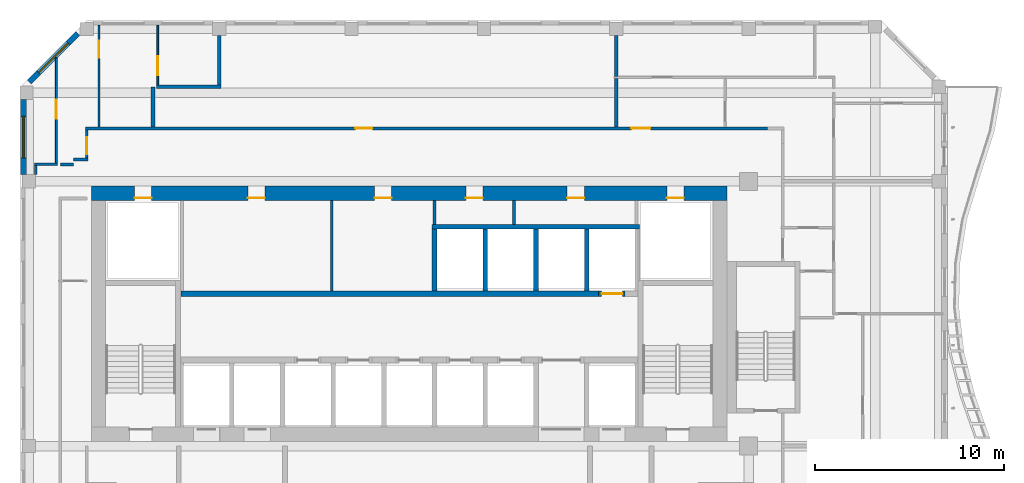
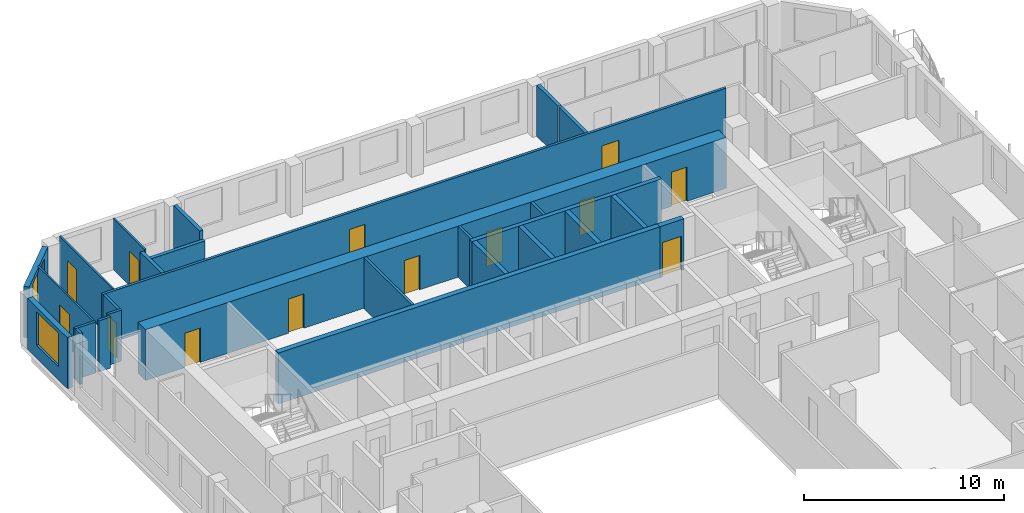
# One storey, part 7 of 20: 27 walls, 13 doors, 2 windows, 15 openings.
"""IFC4 building model written with IfcOpenShell, lengths in metres."""

from ifc_helpers import new_model, si_unit, direction, frame, frame_2d, origin, place, context, subcontext, project, spatial, rectangle, extrude, source, transform, mapped, material, layer, layer_set, type_object, element, fill, save


model = new_model("IFC4")

# Units and contexts
model_context = context("Model", 3, precision=1e-05, world=origin(), true_north=direction((0.0, 1.0)))
body_context = subcontext(model_context, "Body", "Model", "MODEL_VIEW")
ifc_project = project(units=[si_unit("LENGTHUNIT", "METRE"), si_unit("AREAUNIT", "SQUARE_METRE"), si_unit("VOLUMEUNIT", "CUBIC_METRE"), si_unit("PLANEANGLEUNIT", "RADIAN"), si_unit("MASSUNIT", "GRAM", prefix="KILO")], contexts=[model_context])

# Site, building, storey
site_placement = place(None, origin())
site = spatial("IfcSite", under=ifc_project, at=site_placement, CompositionType="ELEMENT")
building_placement = place(site_placement, origin())
building = spatial("IfcBuilding", under=site, at=building_placement, Name="Kilnfold Tower and Market Hall", CompositionType="ELEMENT")
storey_placement = place(building_placement, frame((0.0, 0.0, 239.0)))
storey = spatial("IfcBuildingStorey", under=building, at=storey_placement, Name="L57", CompositionType="ELEMENT", Elevation=239.0)

# Walls
ifc_material_1 = material(Name="Gypsum board on steel studs", Category="steel")
ifc_layer_1 = layer(ifc_material_1, 0.14990234375)
ifc_layer_set_1 = layer_set([ifc_layer_1], Name="Gypsum board on steel studs")
wall_type_1 = type_object("IfcWallType", Name="WALL CORRIDOR 150", PredefinedType="PARTITIONING", material=ifc_layer_set_1)
wall_1_placement = place(storey_placement, frame((-17.550048828125, 22.902099609375, 0.0), z_axis=(0.0, 0.0, 1.0), x_axis=(-1.0, 0.0, 0.0)))
element("IfcWall", 1, at=wall_1_placement, inside=storey, type_object=wall_type_1, Name="Partition LY35.22", PredefinedType="PARTITIONING", context=body_context, shape_type="SweptSolid", body=[
    extrude(rectangle(XDim=1.22705078125, YDim=0.14990234375, at=frame_2d((0.613525390625, 0.0))), origin(), (0.0, 0.0, 1.0), 3.1201171875),
])
wall_2_placement = place(storey_placement, frame((-18.701904296875, 22.826904296875, 0.0), z_axis=(0.0, 0.0, 1.0), x_axis=(0.0, -1.0, 0.0)))
element("IfcWall", 2, at=wall_2_placement, inside=storey, type_object=wall_type_1, Name="Partition LY35.23", PredefinedType="PARTITIONING", context=body_context, shape_type="SweptSolid", body=[
    extrude(rectangle(XDim=0.476806640625, YDim=0.14990234375, at=frame_2d((0.23828125, 0.0))), origin(), (0.0, 0.0, 1.0), 3.1201171875),
])
wall_3_placement = place(storey_placement, frame((-16.7119140625, 22.89990234375, 0.0), z_axis=(0.0, 0.0, 1.0), x_axis=(-1.0, 0.0, 0.0)))
element("IfcWall", 3, at=wall_3_placement, inside=storey, type_object=wall_type_1, Name="Partition LY35.24", PredefinedType="PARTITIONING", context=body_context, shape_type="SweptSolid", body=[
    extrude(rectangle(XDim=0.68603515625, YDim=0.14990234375, at=frame_2d((0.343017578125, 0.0))), origin(), (0.0, 0.0, 1.0), 3.1201171875),
])
wall_4_placement = place(storey_placement, frame((-15.925048828125, 23.1630859375, 0.0), z_axis=(0.0, 0.0, 1.0), x_axis=(-1.0, 0.0, 0.0)))
element("IfcWall", 4, at=wall_4_placement, inside=storey, type_object=wall_type_1, Name="Partition LY35.25", PredefinedType="PARTITIONING", context=body_context, shape_type="SweptSolid", body=[
    extrude(rectangle(XDim=0.786865234375, YDim=0.14990234375, at=frame_2d((0.3935546875, 0.0))), origin(), (0.0, 0.0, 1.0), 3.1201171875),
])

# Wall, opening, door
wall_5_placement = place(storey_placement, frame((-16.0, 23.238037109375, 0.0), z_axis=(0.0, 0.0, 1.0), x_axis=(0.0, 1.0, 0.0)))
wall_5 = element("IfcWall", 5, at=wall_5_placement, inside=storey, type_object=wall_type_1, Name="Partition LY35.26", PredefinedType="PARTITIONING", context=body_context, shape_type="SweptSolid", body=[
    extrude(rectangle(XDim=1.487060546875, YDim=0.14990234375, at=frame_2d((0.74365234375, 0.0))), origin(), (0.0, 0.0, 1.0), 3.1201171875),
])
opening_1_placement = place(wall_5_placement, frame((0.199951171875, 0.0, 0.0)))
opening_1 = element("IfcOpeningElement", 6, at=opening_1_placement, cuts=wall_5, Name="Opening D2", PredefinedType="OPENING", context=body_context, shape_type="SweptSolid", body=[
    extrude(rectangle(XDim=0.89990234375, YDim=2.10009765625, at=frame_2d((0.449951171875, 1.050048828125))), frame((0.0, 0.0849609375, 0.0), z_axis=(0.0, -1.0, 0.0), x_axis=(1.0, 0.0, 0.0)), (0.0, 0.0, 1.0), 0.169921875),
])
ifc_material_2 = material(Name="Timber veneer door leaf in steel frame", Category="steel")
door_type_1 = type_object("IfcDoorType", Name="DOOR ROOM 900 X2100", OperationType="NOTDEFINED", PredefinedType="DOOR", material=ifc_material_2)
door_1_placement = place(opening_1_placement, origin())
door_1 = element("IfcDoor", 7, at=door_1_placement, inside=storey, type_object=door_type_1, Name="Door D2", OperationType="SINGLE_SWING_RIGHT", OverallHeight=2.10009765625, OverallWidth=0.89990234375, PredefinedType="DOOR", context=body_context, shape_type="SweptSolid", body=[
    extrude(rectangle(XDim=0.89990234375, YDim=2.10009765625, at=frame_2d((0.449951171875, 1.050048828125))), frame((0.0, 0.02490234375, 0.0), z_axis=(0.0, -1.0, 0.0), x_axis=(1.0, 0.0, 0.0)), (0.0, 0.0, 1.0), 0.050048828125),
])
fill(opening_1, door_1)

# Wall, openings, doors
wall_6_placement = place(storey_placement, frame((-16.074951171875, 24.800048828125, 0.0), z_axis=(0.0, 0.0, 1.0), x_axis=(1.0, 0.0, 0.0)))
wall_6 = element("IfcWall", 8, at=wall_6_placement, inside=storey, type_object=wall_type_1, Name="Partition LY35.27", PredefinedType="PARTITIONING", context=body_context, shape_type="SweptSolid", body=[
    extrude(rectangle(XDim=36.072998046875, YDim=0.14990234375, at=frame_2d((18.03662109375, 0.0))), origin(), (0.0, 0.0, 1.0), 3.1201171875),
])
opening_2_placement = place(wall_6_placement, frame((14.27392578125, 0.0, 0.0)))
opening_2 = element("IfcOpeningElement", 9, at=opening_2_placement, cuts=wall_6, Name="Opening D2", PredefinedType="OPENING", context=body_context, shape_type="SweptSolid", body=[
    extrude(rectangle(XDim=0.89990234375, YDim=2.10009765625, at=frame_2d((0.449951171875, 1.050048828125))), frame((0.0, 0.0849609375, 0.0), z_axis=(0.0, -1.0, 0.0), x_axis=(1.0, 0.0, 0.0)), (0.0, 0.0, 1.0), 0.169921875),
])
opening_3_placement = place(wall_6_placement, frame((28.875, 0.0, 0.0)))
opening_3 = element("IfcOpeningElement", 10, at=opening_3_placement, cuts=wall_6, Name="Opening D1", PredefinedType="OPENING", context=body_context, shape_type="SweptSolid", body=[
    extrude(rectangle(XDim=1.0, YDim=2.10009765625, at=frame_2d((0.5, 1.050048828125))), frame((0.0, 0.0849609375, 0.0), z_axis=(0.0, -1.0, 0.0), x_axis=(1.0, 0.0, 0.0)), (0.0, 0.0, 1.0), 0.169921875),
])
ifc_material_3 = material(Name="Timber veneer door leaf in steel frame", Category="steel")
door_type_2 = type_object("IfcDoorType", Name="DOOR ENTRY 1000 X2100", OperationType="NOTDEFINED", PredefinedType="DOOR", material=ifc_material_3)
door_2_placement = place(opening_3_placement, origin())
door_2 = element("IfcDoor", 11, at=door_2_placement, inside=storey, type_object=door_type_2, Name="Door D1", OperationType="SINGLE_SWING_RIGHT", OverallHeight=2.10009765625, OverallWidth=1.0, PredefinedType="DOOR", context=body_context, shape_type="SweptSolid", body=[
    extrude(rectangle(XDim=1.0, YDim=2.10009765625, at=frame_2d((0.5, 1.050048828125))), frame((0.0, 0.02490234375, 0.0), z_axis=(0.0, -1.0, 0.0), x_axis=(1.0, 0.0, 0.0)), (0.0, 0.0, 1.0), 0.050048828125),
])
fill(opening_3, door_2)
door_3_placement = place(opening_2_placement, origin())
door_3 = element("IfcDoor", 12, at=door_3_placement, inside=storey, type_object=door_type_1, Name="Door D2", OperationType="SINGLE_SWING_RIGHT", OverallHeight=2.10009765625, OverallWidth=0.89990234375, PredefinedType="DOOR", context=body_context, shape_type="SweptSolid", body=[
    extrude(rectangle(XDim=0.89990234375, YDim=2.10009765625, at=frame_2d((0.449951171875, 1.050048828125))), frame((0.0, 0.02490234375, 0.0), z_axis=(0.0, -1.0, 0.0), x_axis=(1.0, 0.0, 0.0)), (0.0, 0.0, 1.0), 0.050048828125),
])
fill(opening_2, door_3)

# Wall, opening, door
ifc_material_4 = material(Name="Gypsum board on steel studs", Category="steel")
ifc_layer_2 = layer(ifc_material_4, 0.10009765625)
ifc_layer_set_2 = layer_set([ifc_layer_2], Name="Gypsum board on steel studs")
wall_type_2 = type_object("IfcWallType", Name="WALL PARTITION 100", PredefinedType="PARTITIONING", material=ifc_layer_set_2)
wall_7_placement = place(storey_placement, frame((-17.610107421875, 22.97705078125, 0.0), z_axis=(0.0, 0.0, 1.0), x_axis=(0.0, 1.0, 0.0)))
wall_7 = element("IfcWall", 13, at=wall_7_placement, inside=storey, type_object=wall_type_2, Name="Partition LY35.102", PredefinedType="PARTITIONING", context=body_context, shape_type="SweptSolid", body=[
    extrude(rectangle(XDim=5.558837890625, YDim=0.10009765625, at=frame_2d((2.779296875, 0.0))), origin(), (0.0, 0.0, 1.0), 3.1201171875),
])
opening_4_placement = place(wall_7_placement, frame((2.330078125, 0.0, 0.0)))
opening_4 = element("IfcOpeningElement", 14, at=opening_4_placement, cuts=wall_7, Name="Opening D1", PredefinedType="OPENING", context=body_context, shape_type="SweptSolid", body=[
    extrude(rectangle(XDim=1.0, YDim=2.10009765625, at=frame_2d((0.5, 1.050048828125))), frame((0.0, 0.06005859375, 0.0), z_axis=(0.0, -1.0, 0.0), x_axis=(1.0, 0.0, 0.0)), (0.0, 0.0, 1.0), 0.1201171875),
])
door_4_placement = place(opening_4_placement, origin())
door_4 = element("IfcDoor", 15, at=door_4_placement, inside=storey, type_object=door_type_2, Name="Door D1", OperationType="SINGLE_SWING_RIGHT", OverallHeight=2.10009765625, OverallWidth=1.0, PredefinedType="DOOR", context=body_context, shape_type="SweptSolid", body=[
    extrude(rectangle(XDim=1.0, YDim=2.10009765625, at=frame_2d((0.5, 1.050048828125))), frame((0.0, 0.02490234375, 0.0), z_axis=(0.0, -1.0, 0.0), x_axis=(1.0, 0.0, 0.0)), (0.0, 0.0, 1.0), 0.050048828125),
])
fill(opening_4, door_4)

wall_8_placement = place(storey_placement, frame((-15.35498046875, 24.876953125, 0.0), z_axis=(0.0, 0.0, 1.0), x_axis=(0.0, 1.0, 0.0)))
wall_8 = element("IfcWall", 16, at=wall_8_placement, inside=storey, type_object=wall_type_2, Name="Partition LY35.103", PredefinedType="PARTITIONING", context=body_context, shape_type="SweptSolid", body=[
    extrude(rectangle(XDim=5.373046875, YDim=0.10009765625, at=frame_2d((2.6865234375, 0.0))), origin(), (0.0, 0.0, 1.0), 3.1201171875),
])
opening_5_placement = place(wall_8_placement, frame((3.662109375, 0.0, 0.0)))
opening_5 = element("IfcOpeningElement", 17, at=opening_5_placement, cuts=wall_8, Name="Opening D2", PredefinedType="OPENING", context=body_context, shape_type="SweptSolid", body=[
    extrude(rectangle(XDim=0.89990234375, YDim=2.10009765625, at=frame_2d((0.449951171875, 1.050048828125))), frame((0.0, 0.06005859375, 0.0), z_axis=(0.0, -1.0, 0.0), x_axis=(1.0, 0.0, 0.0)), (0.0, 0.0, 1.0), 0.1201171875),
])
door_5_placement = place(opening_5_placement, origin())
door_5 = element("IfcDoor", 18, at=door_5_placement, inside=storey, type_object=door_type_1, Name="Door D2", OperationType="SINGLE_SWING_LEFT", OverallHeight=2.10009765625, OverallWidth=0.89990234375, PredefinedType="DOOR", context=body_context, shape_type="SweptSolid", body=[
    extrude(rectangle(XDim=0.89990234375, YDim=2.10009765625, at=frame_2d((0.449951171875, 1.050048828125))), frame((0.0, 0.02490234375, 0.0), z_axis=(0.0, -1.0, 0.0), x_axis=(1.0, 0.0, 0.0)), (0.0, 0.0, 1.0), 0.050048828125),
])
fill(opening_5, door_5)

wall_9_placement = place(storey_placement, frame((-12.25, 27.10009765625, 0.0), z_axis=(0.0, 0.0, 1.0), x_axis=(0.0, 1.0, 0.0)))
wall_9 = element("IfcWall", 19, at=wall_9_placement, inside=storey, type_object=wall_type_2, Name="Partition LY35.104", PredefinedType="PARTITIONING", context=body_context, shape_type="SweptSolid", body=[
    extrude(rectangle(XDim=3.14990234375, YDim=0.10009765625, at=frame_2d((1.574951171875, 0.0))), origin(), (0.0, 0.0, 1.0), 3.1201171875),
])
opening_6_placement = place(wall_9_placement, frame((0.509033203125, 0.0, 0.0)))
opening_6 = element("IfcOpeningElement", 20, at=opening_6_placement, cuts=wall_9, Name="Opening D1", PredefinedType="OPENING", context=body_context, shape_type="SweptSolid", body=[
    extrude(rectangle(XDim=1.0, YDim=2.10009765625, at=frame_2d((0.5, 1.050048828125))), frame((0.0, 0.06005859375, 0.0), z_axis=(0.0, -1.0, 0.0), x_axis=(1.0, 0.0, 0.0)), (0.0, 0.0, 1.0), 0.1201171875),
])
door_6_placement = place(opening_6_placement, origin())
door_6 = element("IfcDoor", 21, at=door_6_placement, inside=storey, type_object=door_type_2, Name="Door D1", OperationType="SINGLE_SWING_RIGHT", OverallHeight=2.10009765625, OverallWidth=1.0, PredefinedType="DOOR", context=body_context, shape_type="SweptSolid", body=[
    extrude(rectangle(XDim=1.0, YDim=2.10009765625, at=frame_2d((0.5, 1.050048828125))), frame((0.0, 0.02490234375, 0.0), z_axis=(0.0, -1.0, 0.0), x_axis=(1.0, 0.0, 0.0)), (0.0, 0.0, 1.0), 0.050048828125),
])
fill(opening_6, door_6)

# Walls
ifc_material_5 = material(Name="Gypsum board on steel studs", Category="steel")
ifc_layer_3 = layer(ifc_material_5, 0.199951171875)
ifc_layer_set_3 = layer_set([ifc_layer_3], Name="Gypsum board on steel studs")
wall_type_3 = type_object("IfcWallType", Name="WALL PARTY 200", PredefinedType="PARTITIONING", material=ifc_layer_set_3)
wall_10_placement = place(storey_placement, frame((12.0, 24.876953125, 0.0), z_axis=(0.0, 0.0, 1.0), x_axis=(0.0, 1.0, 0.0)))
element("IfcWall", 22, at=wall_10_placement, inside=storey, type_object=wall_type_3, Name="Partition LY35.91", PredefinedType="PARTITIONING", context=body_context, shape_type="SweptSolid", body=[
    extrude(rectangle(XDim=2.572998046875, YDim=0.199951171875, at=frame_2d((1.28662109375, 0.0))), origin(), (0.0, 0.0, 1.0), 3.1201171875),
])
wall_11_placement = place(storey_placement, frame((12.0, 27.552001953125, 0.0), z_axis=(0.0, 0.0, 1.0), x_axis=(0.0, 1.0, 0.0)))
element("IfcWall", 23, at=wall_11_placement, inside=storey, type_object=wall_type_3, Name="Partition LY35.97", PredefinedType="PARTITIONING", context=body_context, shape_type="SweptSolid", body=[
    extrude(rectangle(XDim=2.14794921875, YDim=0.199951171875, at=frame_2d((1.073974609375, 0.0))), origin(), (0.0, 0.0, 1.0), 3.1201171875),
])
wall_12_placement = place(storey_placement, frame((-12.5, 27.0, 0.0), z_axis=(0.0, 0.0, 1.0), x_axis=(0.0, -1.0, 0.0)))
element("IfcWall", 24, at=wall_12_placement, inside=storey, type_object=wall_type_3, Name="Partition LY35.99", PredefinedType="PARTITIONING", context=body_context, shape_type="SweptSolid", body=[
    extrude(rectangle(XDim=2.123046875, YDim=0.199951171875, at=frame_2d((1.0615234375, 0.0))), origin(), (0.0, 0.0, 1.0), 3.1201171875),
])
wall_13_placement = place(storey_placement, frame((-8.89990234375, 27.0, 0.0), z_axis=(0.0, 0.0, 1.0), x_axis=(-1.0, 0.0, 0.0)))
element("IfcWall", 25, at=wall_13_placement, inside=storey, type_object=wall_type_3, Name="Partition LY35.100", PredefinedType="PARTITIONING", context=body_context, shape_type="SweptSolid", body=[
    extrude(rectangle(XDim=3.41015625, YDim=0.199951171875, at=frame_2d((1.705078125, 0.0))), origin(), (0.0, 0.0, 1.0), 2.570068359375),
])
wall_14_placement = place(storey_placement, frame((-9.0, 27.10009765625, 0.0), z_axis=(0.0, 0.0, 1.0), x_axis=(0.0, 1.0, 0.0)))
element("IfcWall", 26, at=wall_14_placement, inside=storey, type_object=wall_type_3, Name="Partition LY35.101", PredefinedType="PARTITIONING", context=body_context, shape_type="SweptSolid", body=[
    extrude(rectangle(XDim=2.599853515625, YDim=0.199951171875, at=frame_2d((1.2998046875, 0.0))), origin(), (0.0, 0.0, 1.0), 3.1201171875),
])

# Wall, openings, doors
ifc_material_6 = material(Name="Concrete C60", Category="concrete")
ifc_layer_4 = layer(ifc_material_6, 0.75)
ifc_layer_set_4 = layer_set([ifc_layer_4], Name="Concrete C60")
wall_type_4 = type_object("IfcWallType", Name="CORE WALL 750 C60", PredefinedType="SHEAR", material=ifc_layer_set_4)
shared_shape_1 = source(origin(), body_context, "Body", "SweptSolid", [
    extrude(rectangle(XDim=33.60009765625, YDim=0.75, at=frame_2d((16.800048828125, 0.0))), origin(), (0.0, 0.0, 1.0), 3.1201171875),
])
wall_15_placement = place(storey_placement, frame((-15.75, 21.375, 0.0), z_axis=(0.0, 0.0, 1.0), x_axis=(1.0, 0.0, 0.0)))
wall_15 = element("IfcWall", 27, at=wall_15_placement, inside=storey, type_object=wall_type_4, Name="Core outer wall north", PredefinedType="SHEAR", context=body_context, shape_type="MappedRepresentation", body=[
    mapped(shared_shape_1, transform((0.0, 0.0, 0.0))),
])
opening_7_placement = place(wall_15_placement, frame((8.269775390625, 0.0, 0.0)))
opening_7 = element("IfcOpeningElement", 28, at=opening_7_placement, cuts=wall_15, Name="Opening KD1", PredefinedType="OPENING", context=body_context, shape_type="SweptSolid", body=[
    extrude(rectangle(XDim=0.89990234375, YDim=2.10009765625, at=frame_2d((0.449951171875, 1.050048828125))), frame((0.0, 0.385009765625, 0.0), z_axis=(0.0, -1.0, 0.0), x_axis=(1.0, 0.0, 0.0)), (0.0, 0.0, 1.0), 0.77001953125),
])
opening_8_placement = place(wall_15_placement, frame((14.9697265625, 0.0, 0.0)))
opening_8 = element("IfcOpeningElement", 29, at=opening_8_placement, cuts=wall_15, Name="Opening KD1", PredefinedType="OPENING", context=body_context, shape_type="SweptSolid", body=[
    extrude(rectangle(XDim=0.89990234375, YDim=2.10009765625, at=frame_2d((0.449951171875, 1.050048828125))), frame((0.0, 0.385009765625, 0.0), z_axis=(0.0, -1.0, 0.0), x_axis=(1.0, 0.0, 0.0)), (0.0, 0.0, 1.0), 0.77001953125),
])
opening_9_placement = place(wall_15_placement, frame((19.793701171875, 0.0, 0.0)))
opening_9 = element("IfcOpeningElement", 30, at=opening_9_placement, cuts=wall_15, Name="Opening KD1", PredefinedType="OPENING", context=body_context, shape_type="SweptSolid", body=[
    extrude(rectangle(XDim=0.89990234375, YDim=2.10009765625, at=frame_2d((0.449951171875, 1.050048828125))), frame((0.0, 0.385009765625, 0.0), z_axis=(0.0, -1.0, 0.0), x_axis=(1.0, 0.0, 0.0)), (0.0, 0.0, 1.0), 0.77001953125),
])
opening_10_placement = place(wall_15_placement, frame((25.15380859375, 0.0, 0.0)))
opening_10 = element("IfcOpeningElement", 31, at=opening_10_placement, cuts=wall_15, Name="Opening KD1", PredefinedType="OPENING", context=body_context, shape_type="SweptSolid", body=[
    extrude(rectangle(XDim=0.89990234375, YDim=2.10009765625, at=frame_2d((0.449951171875, 1.050048828125))), frame((0.0, 0.385009765625, 0.0), z_axis=(0.0, -1.0, 0.0), x_axis=(1.0, 0.0, 0.0)), (0.0, 0.0, 1.0), 0.77001953125),
])
opening_11_placement = place(wall_15_placement, frame((2.27490234375, 0.0, 0.0)))
opening_11 = element("IfcOpeningElement", 32, at=opening_11_placement, cuts=wall_15, Name="Opening KD1", PredefinedType="OPENING", context=body_context, shape_type="SweptSolid", body=[
    extrude(rectangle(XDim=0.89990234375, YDim=2.10009765625, at=frame_2d((0.449951171875, 1.050048828125))), frame((0.0, 0.385009765625, 0.0), z_axis=(0.0, -1.0, 0.0), x_axis=(1.0, 0.0, 0.0)), (0.0, 0.0, 1.0), 0.77001953125),
])
opening_12_placement = place(wall_15_placement, frame((30.425048828125, 0.0, 0.0)))
opening_12 = element("IfcOpeningElement", 33, at=opening_12_placement, cuts=wall_15, Name="Opening KD1", PredefinedType="OPENING", context=body_context, shape_type="SweptSolid", body=[
    extrude(rectangle(XDim=0.89990234375, YDim=2.10009765625, at=frame_2d((0.449951171875, 1.050048828125))), frame((0.0, 0.385009765625, 0.0), z_axis=(0.0, -1.0, 0.0), x_axis=(1.0, 0.0, 0.0)), (0.0, 0.0, 1.0), 0.77001953125),
])
ifc_material_7 = material(Name="Steel door set with fire-resisting leaf", Category="steel")
door_type_3 = type_object("IfcDoorType", Name="SERVICE DOOR 900X2100", OperationType="NOTDEFINED", PredefinedType="DOOR", material=ifc_material_7)
door_7_placement = place(opening_7_placement, origin())
door_7 = element("IfcDoor", 34, at=door_7_placement, inside=storey, type_object=door_type_3, Name="Core service door", OperationType="SINGLE_SWING_RIGHT", OverallHeight=2.10009765625, OverallWidth=0.89990234375, PredefinedType="DOOR", context=body_context, shape_type="SweptSolid", body=[
    extrude(rectangle(XDim=0.89990234375, YDim=2.10009765625, at=frame_2d((0.449951171875, 1.050048828125))), frame((0.0, -0.22998046875, 0.0), z_axis=(0.0, -1.0, 0.0), x_axis=(1.0, 0.0, 0.0)), (0.0, 0.0, 1.0), 0.050048828125),
])
fill(opening_7, door_7)
door_8_placement = place(opening_8_placement, origin())
door_8 = element("IfcDoor", 35, at=door_8_placement, inside=storey, type_object=door_type_3, Name="Core service door", OperationType="SINGLE_SWING_LEFT", OverallHeight=2.10009765625, OverallWidth=0.89990234375, PredefinedType="DOOR", context=body_context, shape_type="SweptSolid", body=[
    extrude(rectangle(XDim=0.89990234375, YDim=2.10009765625, at=frame_2d((0.449951171875, 1.050048828125))), frame((0.0, -0.22998046875, 0.0), z_axis=(0.0, -1.0, 0.0), x_axis=(1.0, 0.0, 0.0)), (0.0, 0.0, 1.0), 0.050048828125),
])
fill(opening_8, door_8)
door_9_placement = place(opening_9_placement, origin())
door_9 = element("IfcDoor", 36, at=door_9_placement, inside=storey, type_object=door_type_3, Name="Core service door", OperationType="SINGLE_SWING_RIGHT", OverallHeight=2.10009765625, OverallWidth=0.89990234375, PredefinedType="DOOR", context=body_context, shape_type="SweptSolid", body=[
    extrude(rectangle(XDim=0.89990234375, YDim=2.10009765625, at=frame_2d((0.449951171875, 1.050048828125))), frame((0.0, -0.22998046875, 0.0), z_axis=(0.0, -1.0, 0.0), x_axis=(1.0, 0.0, 0.0)), (0.0, 0.0, 1.0), 0.050048828125),
])
fill(opening_9, door_9)
door_10_placement = place(opening_10_placement, origin())
door_10 = element("IfcDoor", 37, at=door_10_placement, inside=storey, type_object=door_type_3, Name="Core service door", OperationType="SINGLE_SWING_LEFT", OverallHeight=2.10009765625, OverallWidth=0.89990234375, PredefinedType="DOOR", context=body_context, shape_type="SweptSolid", body=[
    extrude(rectangle(XDim=0.89990234375, YDim=2.10009765625, at=frame_2d((0.449951171875, 1.050048828125))), frame((0.0, -0.22998046875, 0.0), z_axis=(0.0, -1.0, 0.0), x_axis=(1.0, 0.0, 0.0)), (0.0, 0.0, 1.0), 0.050048828125),
])
fill(opening_10, door_10)
door_11_placement = place(opening_11_placement, origin())
door_11 = element("IfcDoor", 38, at=door_11_placement, inside=storey, type_object=door_type_3, Name="Electrical riser access door", OperationType="SINGLE_SWING_RIGHT", OverallHeight=2.10009765625, OverallWidth=0.89990234375, PredefinedType="DOOR", context=body_context, shape_type="SweptSolid", body=[
    extrude(rectangle(XDim=0.89990234375, YDim=2.10009765625, at=frame_2d((0.449951171875, 1.050048828125))), frame((0.0, -0.22998046875, 0.0), z_axis=(0.0, -1.0, 0.0), x_axis=(1.0, 0.0, 0.0)), (0.0, 0.0, 1.0), 0.050048828125),
])
fill(opening_11, door_11)
door_12_placement = place(opening_12_placement, origin())
door_12 = element("IfcDoor", 39, at=door_12_placement, inside=storey, type_object=door_type_3, Name="Mechanical riser access door", OperationType="SINGLE_SWING_LEFT", OverallHeight=2.10009765625, OverallWidth=0.89990234375, PredefinedType="DOOR", context=body_context, shape_type="SweptSolid", body=[
    extrude(rectangle(XDim=0.89990234375, YDim=2.10009765625, at=frame_2d((0.449951171875, 1.050048828125))), frame((0.0, -0.22998046875, 0.0), z_axis=(0.0, -1.0, 0.0), x_axis=(1.0, 0.0, 0.0)), (0.0, 0.0, 1.0), 0.050048828125),
])
fill(opening_12, door_12)

# Wall
ifc_material_8 = material(Name="Concrete C60", Category="concrete")
ifc_layer_5 = layer(ifc_material_8, 0.300048828125)
ifc_layer_set_5 = layer_set([ifc_layer_5], Name="Concrete C60")
wall_type_5 = type_object("IfcWallType", Name="CORE WALL 300 C60", PredefinedType="SHEAR", material=ifc_layer_set_5)
shared_shape_2 = source(origin(), body_context, "Body", "SweptSolid", [
    extrude(rectangle(XDim=22.080078125, YDim=0.300048828125, at=frame_2d((11.0400390625, 0.0))), origin(), (0.0, 0.0, 1.0), 3.1201171875),
])
wall_16_placement = place(storey_placement, frame((-11.010009765625, 16.050048828125, 0.0), z_axis=(0.0, 0.0, 1.0), x_axis=(1.0, 0.0, 0.0)))
element("IfcWall", 40, at=wall_16_placement, inside=storey, type_object=wall_type_5, Name="Core spine wall", PredefinedType="SHEAR", context=body_context, shape_type="MappedRepresentation", body=[
    mapped(shared_shape_2, transform((0.0, 0.0, 0.0))),
])

# Wall, opening, window
ifc_material_9 = material(Name="Precast concrete C50/60", Category="concrete")
ifc_layer_6 = layer(ifc_material_9, 0.300048828125)
ifc_layer_set_6 = layer_set([ifc_layer_6], Name="Precast concrete C50/60")
wall_type_6 = type_object("IfcWallType", Name="PRECAST WALL 300", PredefinedType="SOLIDWALL", material=ifc_layer_set_6)
shared_shape_3 = source(origin(), body_context, "Body", "SweptSolid", [
    extrude(rectangle(XDim=3.6416015625, YDim=0.300048828125, at=frame_2d((1.82080078125, 0.0))), origin(), (0.0, 0.0, 1.0), 3.1201171875),
])
wall_17_placement = place(storey_placement, frame((-16.468994140625, 29.81884765625, 0.0), z_axis=(0.0, 0.0, 1.0), x_axis=(-0.707106781187, -0.707106781187, 0.0)))
wall_17 = element("IfcWall", 41, at=wall_17_placement, inside=storey, type_object=wall_type_6, Name="External wall L57 NW", PredefinedType="SOLIDWALL", context=body_context, shape_type="MappedRepresentation", body=[
    mapped(shared_shape_3, transform((0.0, 0.0, 0.0))),
])
opening_13_placement = place(wall_17_placement, frame((0.720703125, 0.0, 0.800048828125)))
opening_13 = element("IfcOpeningElement", 42, at=opening_13_placement, cuts=wall_17, Name="Opening W3", PredefinedType="OPENING", context=body_context, shape_type="SweptSolid", body=[
    extrude(rectangle(XDim=2.199951171875, YDim=2.050048828125, at=frame_2d((1.10009765625, 1.02490234375))), frame((0.0, 0.16015625, 0.0), z_axis=(0.0, -1.0, 0.0), x_axis=(1.0, 0.0, 0.0)), (0.0, 0.0, 1.0), 0.320068359375),
])
ifc_material_10 = material(Name="Aluminium frame and double glazing", Category="aluminium")
window_type = type_object("IfcWindowType", Name="WINDOW W3 2200X2050", PartitioningType="SINGLE_PANEL", PredefinedType="WINDOW", material=ifc_material_10)
window_1_placement = place(opening_13_placement, origin())
window_1 = element("IfcWindow", 43, at=window_1_placement, inside=storey, type_object=window_type, Name="Window W3 L57 NW-1", OverallHeight=2.050048828125, OverallWidth=2.199951171875, PartitioningType="SINGLE_PANEL", PredefinedType="WINDOW", context=body_context, shape_type="SweptSolid", body=[
    extrude(rectangle(XDim=2.199951171875, YDim=2.050048828125, at=frame_2d((1.10009765625, 1.02490234375))), frame((0.0, 0.030029296875, 0.0), z_axis=(0.0, -1.0, 0.0), x_axis=(1.0, 0.0, 0.0)), (0.0, 0.0, 1.0), 0.06005859375),
])
fill(opening_13, window_1)

shared_shape_4 = source(origin(), body_context, "Body", "SweptSolid", [
    extrude(rectangle(XDim=3.981689453125, YDim=0.300048828125, at=frame_2d((1.99072265625, 0.0))), origin(), (0.0, 0.0, 1.0), 3.1201171875),
])
wall_18_placement = place(storey_placement, frame((-19.35009765625, 26.331787109375, 0.0), z_axis=(0.0, 0.0, 1.0), x_axis=(0.0, -1.0, 0.0)))
wall_18 = element("IfcWall", 44, at=wall_18_placement, inside=storey, type_object=wall_type_6, Name="External wall L57 W", PredefinedType="SOLIDWALL", context=body_context, shape_type="MappedRepresentation", body=[
    mapped(shared_shape_4, transform((0.0, 0.0, 0.0))),
])
opening_14_placement = place(wall_18_placement, frame((0.890869140625, 0.0, 0.800048828125)))
opening_14 = element("IfcOpeningElement", 45, at=opening_14_placement, cuts=wall_18, Name="Opening W3", PredefinedType="OPENING", context=body_context, shape_type="SweptSolid", body=[
    extrude(rectangle(XDim=2.199951171875, YDim=2.050048828125, at=frame_2d((1.10009765625, 1.02490234375))), frame((0.0, 0.16015625, 0.0), z_axis=(0.0, -1.0, 0.0), x_axis=(1.0, 0.0, 0.0)), (0.0, 0.0, 1.0), 0.320068359375),
])
window_2_placement = place(opening_14_placement, origin())
window_2 = element("IfcWindow", 46, at=window_2_placement, inside=storey, type_object=window_type, Name="Window W3 L57 W-1", OverallHeight=2.050048828125, OverallWidth=2.199951171875, PartitioningType="SINGLE_PANEL", PredefinedType="WINDOW", context=body_context, shape_type="SweptSolid", body=[
    extrude(rectangle(XDim=2.199951171875, YDim=2.050048828125, at=frame_2d((1.10009765625, 1.02490234375))), frame((0.0, 0.030029296875, 0.0), z_axis=(0.0, -1.0, 0.0), x_axis=(1.0, 0.0, 0.0)), (0.0, 0.0, 1.0), 0.06005859375),
])
fill(opening_14, window_2)

# Wall, opening, door
ifc_material_11 = material(Name="Gypsum shaft wall system")
ifc_layer_7 = layer(ifc_material_11, 0.300048828125)
ifc_layer_set_7 = layer_set([ifc_layer_7], Name="Gypsum shaft wall system")
wall_type_7 = type_object("IfcWallType", Name="SHAFT WALL 300", PredefinedType="PARTITIONING", material=ifc_layer_set_7)
shared_shape_5 = source(origin(), body_context, "Body", "SweptSolid", [
    extrude(rectangle(XDim=1.39990234375, YDim=0.300048828125, at=frame_2d((0.699951171875, 0.0))), origin(), (0.0, 0.0, 1.0), 3.1201171875),
])
wall_19_placement = place(storey_placement, frame((11.070068359375, 16.050048828125, 0.0), z_axis=(0.0, 0.0, 1.0), x_axis=(1.0, 0.0, 0.0)))
wall_19 = element("IfcWall", 47, at=wall_19_placement, inside=storey, type_object=wall_type_7, Name="Lift shaft front wall", PredefinedType="PARTITIONING", context=body_context, shape_type="MappedRepresentation", body=[
    mapped(shared_shape_5, transform((0.0, 0.0, 0.0))),
])
opening_15_placement = place(wall_19_placement, frame((0.14990234375, 0.0, 0.0)))
opening_15 = element("IfcOpeningElement", 48, at=opening_15_placement, cuts=wall_19, Name="Opening LD2", PredefinedType="OPENING", context=body_context, shape_type="SweptSolid", body=[
    extrude(rectangle(XDim=1.10009765625, YDim=2.10009765625, at=frame_2d((0.550048828125, 1.050048828125))), frame((0.0, 0.16015625, 0.0), z_axis=(0.0, -1.0, 0.0), x_axis=(1.0, 0.0, 0.0)), (0.0, 0.0, 1.0), 0.320068359375),
])
ifc_material_12 = material(Name="Steel door set with fire-resisting leaf", Category="steel")
door_type_4 = type_object("IfcDoorType", Name="LANDING DOOR 1100X2100", OperationType="NOTDEFINED", PredefinedType="DOOR", material=ifc_material_12)
door_13_placement = place(opening_15_placement, origin())
door_13 = element("IfcDoor", 49, at=door_13_placement, inside=storey, type_object=door_type_4, Name="Landing door HR6", OperationType="DOUBLE_DOOR_SLIDING", OverallHeight=2.10009765625, OverallWidth=1.10009765625, PredefinedType="DOOR", context=body_context, shape_type="SweptSolid", body=[
    extrude(rectangle(XDim=1.10009765625, YDim=2.10009765625, at=frame_2d((0.550048828125, 1.050048828125))), frame((0.0, 0.02490234375, 0.0), z_axis=(0.0, -1.0, 0.0), x_axis=(1.0, 0.0, 0.0)), (0.0, 0.0, 1.0), 0.050048828125),
])
fill(opening_15, door_13)

# Walls
ifc_material_13 = material(Name="Gypsum shaft wall system")
ifc_layer_8 = layer(ifc_material_13, 0.25)
ifc_layer_set_8 = layer_set([ifc_layer_8], Name="Gypsum shaft wall system")
wall_type_8 = type_object("IfcWallType", Name="SHAFT WALL 250", PredefinedType="PARTITIONING", material=ifc_layer_set_8)
shared_shape_6 = source(origin(), body_context, "Body", "SweptSolid", [
    extrude(rectangle(XDim=3.275146484375, YDim=0.25, at=frame_2d((1.6376953125, 0.0))), origin(), (0.0, 0.0, 1.0), 3.1201171875),
])
for number, where, z_axis, x_axis, name in (
    (50, (10.429931640625, 16.199951171875, 0.0), (0.0, 0.0, 1.0), (0.0, 1.0, 0.0), "Lift shaft wall"),
    (51, (2.389892578125, 16.199951171875, 0.0), (0.0, 0.0, 1.0), (0.0, 1.0, 0.0), "Lift shaft wall"),
    (52, (5.070068359375, 16.199951171875, 0.0), (0.0, 0.0, 1.0), (0.0, 1.0, 0.0), "Lift shaft wall"),
    (53, (7.75, 16.199951171875, 0.0), (0.0, 0.0, 1.0), (0.0, 1.0, 0.0), "Lift shaft wall"),
):
    element("IfcWall", number, at=place(storey_placement, frame(where, z_axis=z_axis, x_axis=x_axis)), inside=storey, type_object=wall_type_8, Name=name, PredefinedType="PARTITIONING", context=body_context, shape_type="MappedRepresentation", body=[
        mapped(shared_shape_6, transform((0.0, 0.0, 0.0))),
    ])
ifc_material_14 = material(Name="Gypsum shaft wall system")
ifc_layer_9 = layer(ifc_material_14, 0.14990234375)
ifc_layer_set_9 = layer_set([ifc_layer_9], Name="Gypsum shaft wall system")
wall_type_9 = type_object("IfcWallType", Name="ROOM WALL 150", PredefinedType="PARTITIONING", material=ifc_layer_set_9)
shared_shape_7 = source(origin(), body_context, "Body", "SweptSolid", [
    extrude(rectangle(XDim=4.800048828125, YDim=0.14990234375, at=frame_2d((2.39990234375, 0.0))), origin(), (0.0, 0.0, 1.0), 3.1201171875),
])
wall_20_placement = place(storey_placement, frame((-3.05029296875, 16.199951171875, 0.0), z_axis=(0.0, 0.0, 1.0), x_axis=(0.0, 1.0, 0.0)))
element("IfcWall", 54, at=wall_20_placement, inside=storey, type_object=wall_type_9, Name="Core room wall", PredefinedType="PARTITIONING", context=body_context, shape_type="MappedRepresentation", body=[
    mapped(shared_shape_7, transform((0.0, 0.0, 0.0))),
])
shared_shape_8 = source(origin(), body_context, "Body", "SweptSolid", [
    extrude(rectangle(XDim=1.27490234375, YDim=0.14990234375, at=frame_2d((0.637451171875, 0.0))), origin(), (0.0, 0.0, 1.0), 3.1201171875),
])
for number, where, z_axis, x_axis, name in (
    (55, (2.389892578125, 19.72509765625, 0.0), (0.0, 0.0, 1.0), (0.0, 1.0, 0.0), "Core room wall"),
    (56, (6.59765625, 19.72509765625, 0.0), (0.0, 0.0, 1.0), (0.0, 1.0, 0.0), "Core room wall"),
):
    element("IfcWall", number, at=place(storey_placement, frame(where, z_axis=z_axis, x_axis=x_axis)), inside=storey, type_object=wall_type_9, Name=name, PredefinedType="PARTITIONING", context=body_context, shape_type="MappedRepresentation", body=[
        mapped(shared_shape_8, transform((0.0, 0.0, 0.0))),
    ])
shared_shape_9 = source(origin(), body_context, "Body", "SweptSolid", [
    extrude(rectangle(XDim=10.97021484375, YDim=0.25, at=frame_2d((5.485107421875, 0.0))), origin(), (0.0, 0.0, 1.0), 3.1201171875),
])
wall_21_placement = place(storey_placement, frame((2.264892578125, 19.60009765625, 0.0), z_axis=(0.0, 0.0, 1.0), x_axis=(1.0, 0.0, 0.0)))
element("IfcWall", 57, at=wall_21_placement, inside=storey, type_object=wall_type_8, Name="Lift shaft wall", PredefinedType="PARTITIONING", context=body_context, shape_type="MappedRepresentation", body=[
    mapped(shared_shape_9, transform((0.0, 0.0, 0.0))),
])

save(model, "model.ifc")
